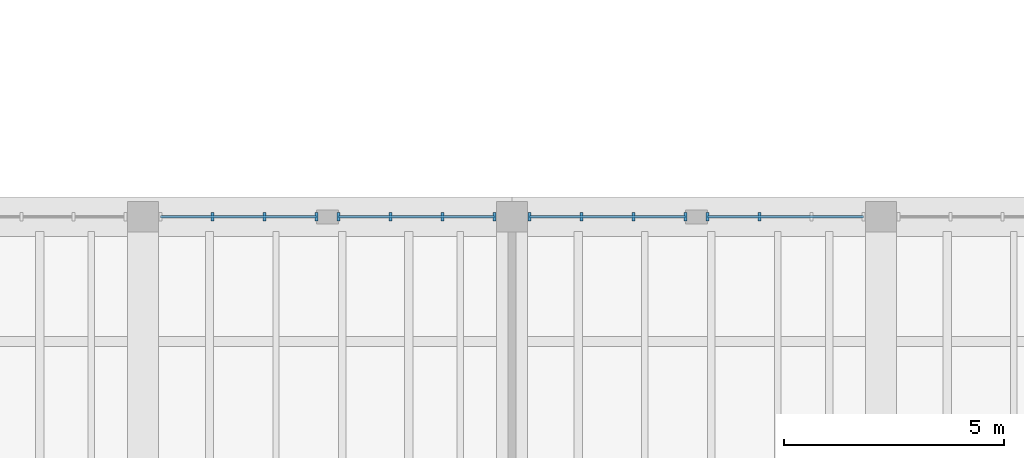
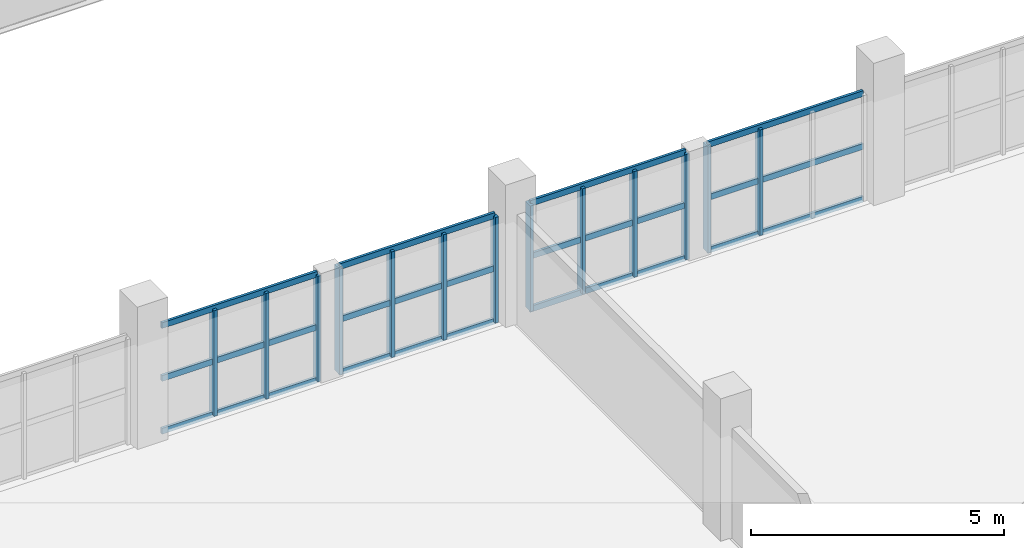
# One storey, part 35 of 77: 25 members, 4 elements without a shape of their own.
"""IFC4 building model written with IfcOpenShell, lengths in metres."""

from ifc_helpers import new_model, si_unit, direction, frame, origin, origin_2d, place, context, subcontext, project, spatial, rectangle, extrude, material, layer, layer_set, material_profile, profile_set, type_object, element, aggregate, save


model = new_model("IFC4")

# Units and contexts
model_context = context("Model", 3, precision=1e-05, world=origin(), true_north=direction((0.0, 1.0)))
body_context = subcontext(model_context, "Body", "Model", "MODEL_VIEW")
ifc_project = project(units=[si_unit("LENGTHUNIT", "METRE"), si_unit("AREAUNIT", "SQUARE_METRE"), si_unit("VOLUMEUNIT", "CUBIC_METRE"), si_unit("PLANEANGLEUNIT", "RADIAN"), si_unit("MASSUNIT", "GRAM", prefix="KILO")], contexts=[model_context])

# Site, building, storey
site_placement = place(None, origin())
site = spatial("IfcSite", under=ifc_project, at=site_placement, CompositionType="ELEMENT")
building_placement = place(site_placement, origin())
building = spatial("IfcBuilding", under=site, at=building_placement, Name="Trellovar Central Fire Station", CompositionType="ELEMENT")
storey_placement = place(building_placement, frame((0.0, 0.0, 5.85009765625)))
storey = spatial("IfcBuildingStorey", under=building, at=storey_placement, Name="L02", CompositionType="ELEMENT", Elevation=5.85009765625)

# Curtain wall, members
ifc_material_1 = material(Name="Thermally broken bronze anodized aluminum", Category="aluminium")
ifc_layer_1 = layer(ifc_material_1, 0.159912109375)
ifc_layer_set_1 = layer_set([ifc_layer_1], Name="Thermally broken bronze anodized aluminum")
curtain_wall_type_1 = type_object("IfcCurtainWallType", Name="CW-09", PredefinedType="NOTDEFINED", material=ifc_layer_set_1)
curtain_wall_1_placement = place(storey_placement, origin())
curtain_wall_1 = element("IfcCurtainWall", 1, at=curtain_wall_1_placement, inside=storey, type_object=curtain_wall_type_1, Name="L02 curtain wall CW-9", PredefinedType="NOTDEFINED")
ifc_material_2 = material(Name="Thermally broken bronze anodized aluminum", Category="aluminium")
ifc_material_profile_1 = material_profile(ifc_material_2, rectangle(XDim=0.074951171875, YDim=0.199951171875, at=origin_2d()), Name="ALU75X200")
ifc_profile_set_1 = profile_set([ifc_material_profile_1], Name="Thermally broken bronze anodized aluminum")
member_type_1 = type_object("IfcMemberType", Name="CWM-1", PredefinedType="MULLION", material=ifc_profile_set_1)
member_1_placement = place(storey_placement, frame((121.89990234375, 33.0, 0.0), z_axis=(0.0, 0.0, 1.0), x_axis=(1.0, 0.0, 0.0)))
member_1 = element("IfcMember", 2, at=member_1_placement, type_object=member_type_1, Name="CW3-L02-0061 mullion 1", PredefinedType="MULLION", context=body_context, shape_type="SweptSolid", body=[
    extrude(rectangle(XDim=0.074951171875, YDim=0.199951171875, at=origin_2d()), origin(), (0.0, 0.0, 1.0), 2.5498046875),
])
member_2_placement = place(storey_placement, frame((120.716796875, 33.0, 0.0), z_axis=(0.0, 0.0, 1.0), x_axis=(1.0, 0.0, 0.0)))
member_2 = element("IfcMember", 3, at=member_2_placement, type_object=member_type_1, Name="CW3-L02-0061 mullion 2", PredefinedType="MULLION", context=body_context, shape_type="SweptSolid", body=[
    extrude(rectangle(XDim=0.074951171875, YDim=0.199951171875, at=origin_2d()), origin(), (0.0, 0.0, 1.0), 2.5498046875),
])
member_3_placement = place(storey_placement, frame((119.533203125, 33.0, 0.0), z_axis=(0.0, 0.0, 1.0), x_axis=(1.0, 0.0, 0.0)))
member_3 = element("IfcMember", 4, at=member_3_placement, type_object=member_type_1, Name="CW3-L02-0061 mullion 3", PredefinedType="MULLION", context=body_context, shape_type="SweptSolid", body=[
    extrude(rectangle(XDim=0.074951171875, YDim=0.199951171875, at=origin_2d()), origin(), (0.0, 0.0, 1.0), 2.5498046875),
])
member_4_placement = place(storey_placement, frame((118.35009765625, 33.0, 0.0), z_axis=(0.0, 0.0, 1.0), x_axis=(1.0, 0.0, 0.0)))
member_4 = element("IfcMember", 5, at=member_4_placement, type_object=member_type_1, Name="CW3-L02-0061 mullion 4", PredefinedType="MULLION", context=body_context, shape_type="SweptSolid", body=[
    extrude(rectangle(XDim=0.074951171875, YDim=0.199951171875, at=origin_2d()), origin(), (0.0, 0.0, 1.0), 2.5498046875),
])

ifc_material_3 = material(Name="Thermally broken bronze anodized aluminum", Category="aluminium")
ifc_layer_2 = layer(ifc_material_3, 0.159912109375)
ifc_layer_set_2 = layer_set([ifc_layer_2], Name="Thermally broken bronze anodized aluminum")
curtain_wall_type_2 = type_object("IfcCurtainWallType", Name="CW-10", PredefinedType="NOTDEFINED", material=ifc_layer_set_2)
curtain_wall_2_placement = place(storey_placement, origin())
curtain_wall_2 = element("IfcCurtainWall", 6, at=curtain_wall_2_placement, inside=storey, type_object=curtain_wall_type_2, Name="L02 curtain wall CW-10", PredefinedType="NOTDEFINED")
member_5_placement = place(storey_placement, frame((117.85009765625, 33.0, 0.0), z_axis=(0.0, 0.0, 1.0), x_axis=(1.0, 0.0, 0.0)))
member_5 = element("IfcMember", 7, at=member_5_placement, type_object=member_type_1, Name="CW3-L02-0062 mullion 1", PredefinedType="MULLION", context=body_context, shape_type="SweptSolid", body=[
    extrude(rectangle(XDim=0.074951171875, YDim=0.199951171875, at=origin_2d()), origin(), (0.0, 0.0, 1.0), 2.5498046875),
])
member_6_placement = place(storey_placement, frame((116.666748046875, 33.0, 0.0), z_axis=(0.0, 0.0, 1.0), x_axis=(1.0, 0.0, 0.0)))
member_6 = element("IfcMember", 8, at=member_6_placement, type_object=member_type_1, Name="CW3-L02-0062 mullion 2", PredefinedType="MULLION", context=body_context, shape_type="SweptSolid", body=[
    extrude(rectangle(XDim=0.074951171875, YDim=0.199951171875, at=origin_2d()), origin(), (0.0, 0.0, 1.0), 2.5498046875),
])
member_7_placement = place(storey_placement, frame((115.4833984375, 33.0, 0.0), z_axis=(0.0, 0.0, 1.0), x_axis=(1.0, 0.0, 0.0)))
member_7 = element("IfcMember", 9, at=member_7_placement, type_object=member_type_1, Name="CW3-L02-0062 mullion 3", PredefinedType="MULLION", context=body_context, shape_type="SweptSolid", body=[
    extrude(rectangle(XDim=0.074951171875, YDim=0.199951171875, at=origin_2d()), origin(), (0.0, 0.0, 1.0), 2.5498046875),
])

curtain_wall_3_placement = place(storey_placement, origin())
curtain_wall_3 = element("IfcCurtainWall", 10, at=curtain_wall_3_placement, inside=storey, type_object=curtain_wall_type_1, Name="L02 curtain wall CW-9", PredefinedType="NOTDEFINED")
member_8_placement = place(storey_placement, frame((127.933349609375, 33.0, 0.0), z_axis=(0.0, 0.0, 1.0), x_axis=(1.0, 0.0, 0.0)))
member_8 = element("IfcMember", 11, at=member_8_placement, type_object=member_type_1, Name="CW3-L02-0063 mullion 3", PredefinedType="MULLION", context=body_context, shape_type="SweptSolid", body=[
    extrude(rectangle(XDim=0.074951171875, YDim=0.199951171875, at=origin_2d()), origin(), (0.0, 0.0, 1.0), 2.5498046875),
])
member_9_placement = place(storey_placement, frame((126.75, 33.0, 0.0), z_axis=(0.0, 0.0, 1.0), x_axis=(1.0, 0.0, 0.0)))
member_9 = element("IfcMember", 12, at=member_9_placement, type_object=member_type_1, Name="CW3-L02-0063 mullion 4", PredefinedType="MULLION", context=body_context, shape_type="SweptSolid", body=[
    extrude(rectangle(XDim=0.074951171875, YDim=0.199951171875, at=origin_2d()), origin(), (0.0, 0.0, 1.0), 2.5498046875),
])

curtain_wall_4_placement = place(storey_placement, origin())
curtain_wall_4 = element("IfcCurtainWall", 13, at=curtain_wall_4_placement, inside=storey, type_object=curtain_wall_type_2, Name="L02 curtain wall CW-10", PredefinedType="NOTDEFINED")
member_10_placement = place(storey_placement, frame((126.25, 33.0, 0.0), z_axis=(0.0, 0.0, 1.0), x_axis=(1.0, 0.0, 0.0)))
member_10 = element("IfcMember", 14, at=member_10_placement, type_object=member_type_1, Name="CW3-L02-0064 mullion 1", PredefinedType="MULLION", context=body_context, shape_type="SweptSolid", body=[
    extrude(rectangle(XDim=0.074951171875, YDim=0.199951171875, at=origin_2d()), origin(), (0.0, 0.0, 1.0), 2.5498046875),
])
member_11_placement = place(storey_placement, frame((125.066650390625, 33.0, 0.0), z_axis=(0.0, 0.0, 1.0), x_axis=(1.0, 0.0, 0.0)))
member_11 = element("IfcMember", 15, at=member_11_placement, type_object=member_type_1, Name="CW3-L02-0064 mullion 2", PredefinedType="MULLION", context=body_context, shape_type="SweptSolid", body=[
    extrude(rectangle(XDim=0.074951171875, YDim=0.199951171875, at=origin_2d()), origin(), (0.0, 0.0, 1.0), 2.5498046875),
])
member_12_placement = place(storey_placement, frame((123.88330078125, 33.0, 0.0), z_axis=(0.0, 0.0, 1.0), x_axis=(1.0, 0.0, 0.0)))
member_12 = element("IfcMember", 16, at=member_12_placement, type_object=member_type_1, Name="CW3-L02-0064 mullion 3", PredefinedType="MULLION", context=body_context, shape_type="SweptSolid", body=[
    extrude(rectangle(XDim=0.074951171875, YDim=0.199951171875, at=origin_2d()), origin(), (0.0, 0.0, 1.0), 2.5498046875),
])
member_13_placement = place(storey_placement, frame((122.699951171875, 33.0, 0.0), z_axis=(0.0, 0.0, 1.0), x_axis=(1.0, 0.0, 0.0)))
member_13 = element("IfcMember", 17, at=member_13_placement, type_object=member_type_1, Name="CW3-L02-0064 mullion 4", PredefinedType="MULLION", context=body_context, shape_type="SweptSolid", body=[
    extrude(rectangle(XDim=0.074951171875, YDim=0.199951171875, at=origin_2d()), origin(), (0.0, 0.0, 1.0), 2.5498046875),
])

# Member
ifc_material_4 = material(Name="Thermally broken bronze anodized aluminum", Category="aluminium")
ifc_material_profile_2 = material_profile(ifc_material_4, rectangle(XDim=0.06005859375, YDim=0.139892578125, at=origin_2d()), Name="ALU60X140")
ifc_profile_set_2 = profile_set([ifc_material_profile_2], Name="Thermally broken bronze anodized aluminum")
member_type_2 = type_object("IfcMemberType", Name="CWT-1", PredefinedType="USERDEFINED", material=ifc_profile_set_2)
member_14_placement = place(storey_placement, frame((121.89990234375, 33.0, 0.0), z_axis=(-1.0, 0.0, 0.0), x_axis=(0.0, -1.0, 0.0)))
member_14 = element("IfcMember", 18, at=member_14_placement, type_object=member_type_2, Name="CW3-L02-0061 transom 1", ObjectType="TRANSOM", PredefinedType="USERDEFINED", context=body_context, shape_type="SweptSolid", body=[
    extrude(rectangle(XDim=0.06005859375, YDim=0.139892578125, at=origin_2d()), origin(), (0.0, 0.0, 1.0), 3.5498046875),
])

member_15_placement = place(storey_placement, frame((121.89990234375, 33.0, 1.27490234375), z_axis=(-1.0, 0.0, 0.0), x_axis=(0.0, -1.0, 0.0)))
member_15 = element("IfcMember", 19, at=member_15_placement, type_object=member_type_2, Name="CW3-L02-0061 transom 2", ObjectType="TRANSOM", PredefinedType="USERDEFINED", context=body_context, shape_type="SweptSolid", body=[
    extrude(rectangle(XDim=0.06005859375, YDim=0.139892578125, at=origin_2d()), origin(), (0.0, 0.0, 1.0), 3.5498046875),
])

member_16_placement = place(storey_placement, frame((121.89990234375, 33.0, 2.5498046875), z_axis=(-1.0, 0.0, 0.0), x_axis=(0.0, -1.0, 0.0)))
member_16 = element("IfcMember", 20, at=member_16_placement, type_object=member_type_2, Name="CW3-L02-0061 transom 3", ObjectType="TRANSOM", PredefinedType="USERDEFINED", context=body_context, shape_type="SweptSolid", body=[
    extrude(rectangle(XDim=0.06005859375, YDim=0.139892578125, at=origin_2d()), origin(), (0.0, 0.0, 1.0), 3.5498046875),
])

aggregate(curtain_wall_1, [member_1, member_2, member_3, member_4, member_14, member_15, member_16])

member_17_placement = place(storey_placement, frame((117.85009765625, 33.0, 0.0), z_axis=(-1.0, 0.0, 0.0), x_axis=(0.0, -1.0, 0.0)))
member_17 = element("IfcMember", 21, at=member_17_placement, type_object=member_type_2, Name="CW3-L02-0062 transom 1", ObjectType="TRANSOM", PredefinedType="USERDEFINED", context=body_context, shape_type="SweptSolid", body=[
    extrude(rectangle(XDim=0.06005859375, YDim=0.139892578125, at=origin_2d()), origin(), (0.0, 0.0, 1.0), 3.550048828125),
])

member_18_placement = place(storey_placement, frame((117.85009765625, 33.0, 1.27490234375), z_axis=(-1.0, 0.0, 0.0), x_axis=(0.0, -1.0, 0.0)))
member_18 = element("IfcMember", 22, at=member_18_placement, type_object=member_type_2, Name="CW3-L02-0062 transom 2", ObjectType="TRANSOM", PredefinedType="USERDEFINED", context=body_context, shape_type="SweptSolid", body=[
    extrude(rectangle(XDim=0.06005859375, YDim=0.139892578125, at=origin_2d()), origin(), (0.0, 0.0, 1.0), 3.550048828125),
])

member_19_placement = place(storey_placement, frame((117.85009765625, 33.0, 2.5498046875), z_axis=(-1.0, 0.0, 0.0), x_axis=(0.0, -1.0, 0.0)))
member_19 = element("IfcMember", 23, at=member_19_placement, type_object=member_type_2, Name="CW3-L02-0062 transom 3", ObjectType="TRANSOM", PredefinedType="USERDEFINED", context=body_context, shape_type="SweptSolid", body=[
    extrude(rectangle(XDim=0.06005859375, YDim=0.139892578125, at=origin_2d()), origin(), (0.0, 0.0, 1.0), 3.550048828125),
])

aggregate(curtain_wall_2, [member_5, member_6, member_7, member_17, member_18, member_19])

member_20_placement = place(storey_placement, frame((130.300048828125, 33.0, 0.0), z_axis=(-1.0, 0.0, 0.0), x_axis=(0.0, -1.0, 0.0)))
member_20 = element("IfcMember", 24, at=member_20_placement, type_object=member_type_2, Name="CW3-L02-0063 transom 1", ObjectType="TRANSOM", PredefinedType="USERDEFINED", context=body_context, shape_type="SweptSolid", body=[
    extrude(rectangle(XDim=0.06005859375, YDim=0.139892578125, at=origin_2d()), origin(), (0.0, 0.0, 1.0), 3.550048828125),
])

member_21_placement = place(storey_placement, frame((130.300048828125, 33.0, 1.27490234375), z_axis=(-1.0, 0.0, 0.0), x_axis=(0.0, -1.0, 0.0)))
member_21 = element("IfcMember", 25, at=member_21_placement, type_object=member_type_2, Name="CW3-L02-0063 transom 2", ObjectType="TRANSOM", PredefinedType="USERDEFINED", context=body_context, shape_type="SweptSolid", body=[
    extrude(rectangle(XDim=0.06005859375, YDim=0.139892578125, at=origin_2d()), origin(), (0.0, 0.0, 1.0), 3.550048828125),
])

member_22_placement = place(storey_placement, frame((130.300048828125, 33.0, 2.5498046875), z_axis=(-1.0, 0.0, 0.0), x_axis=(0.0, -1.0, 0.0)))
member_22 = element("IfcMember", 26, at=member_22_placement, type_object=member_type_2, Name="CW3-L02-0063 transom 3", ObjectType="TRANSOM", PredefinedType="USERDEFINED", context=body_context, shape_type="SweptSolid", body=[
    extrude(rectangle(XDim=0.06005859375, YDim=0.139892578125, at=origin_2d()), origin(), (0.0, 0.0, 1.0), 3.550048828125),
])

aggregate(curtain_wall_3, [member_8, member_9, member_20, member_21, member_22])

member_23_placement = place(storey_placement, frame((126.25, 33.0, 0.0), z_axis=(-1.0, 0.0, 0.0), x_axis=(0.0, -1.0, 0.0)))
member_23 = element("IfcMember", 27, at=member_23_placement, type_object=member_type_2, Name="CW3-L02-0064 transom 1", ObjectType="TRANSOM", PredefinedType="USERDEFINED", context=body_context, shape_type="SweptSolid", body=[
    extrude(rectangle(XDim=0.06005859375, YDim=0.139892578125, at=origin_2d()), origin(), (0.0, 0.0, 1.0), 3.550048828125),
])

member_24_placement = place(storey_placement, frame((126.25, 33.0, 1.27490234375), z_axis=(-1.0, 0.0, 0.0), x_axis=(0.0, -1.0, 0.0)))
member_24 = element("IfcMember", 28, at=member_24_placement, type_object=member_type_2, Name="CW3-L02-0064 transom 2", ObjectType="TRANSOM", PredefinedType="USERDEFINED", context=body_context, shape_type="SweptSolid", body=[
    extrude(rectangle(XDim=0.06005859375, YDim=0.139892578125, at=origin_2d()), origin(), (0.0, 0.0, 1.0), 3.550048828125),
])

member_25_placement = place(storey_placement, frame((126.25, 33.0, 2.5498046875), z_axis=(-1.0, 0.0, 0.0), x_axis=(0.0, -1.0, 0.0)))
member_25 = element("IfcMember", 29, at=member_25_placement, type_object=member_type_2, Name="CW3-L02-0064 transom 3", ObjectType="TRANSOM", PredefinedType="USERDEFINED", context=body_context, shape_type="SweptSolid", body=[
    extrude(rectangle(XDim=0.06005859375, YDim=0.139892578125, at=origin_2d()), origin(), (0.0, 0.0, 1.0), 3.550048828125),
])

aggregate(curtain_wall_4, [member_10, member_11, member_12, member_13, member_23, member_24, member_25])

save(model, "model.ifc")
